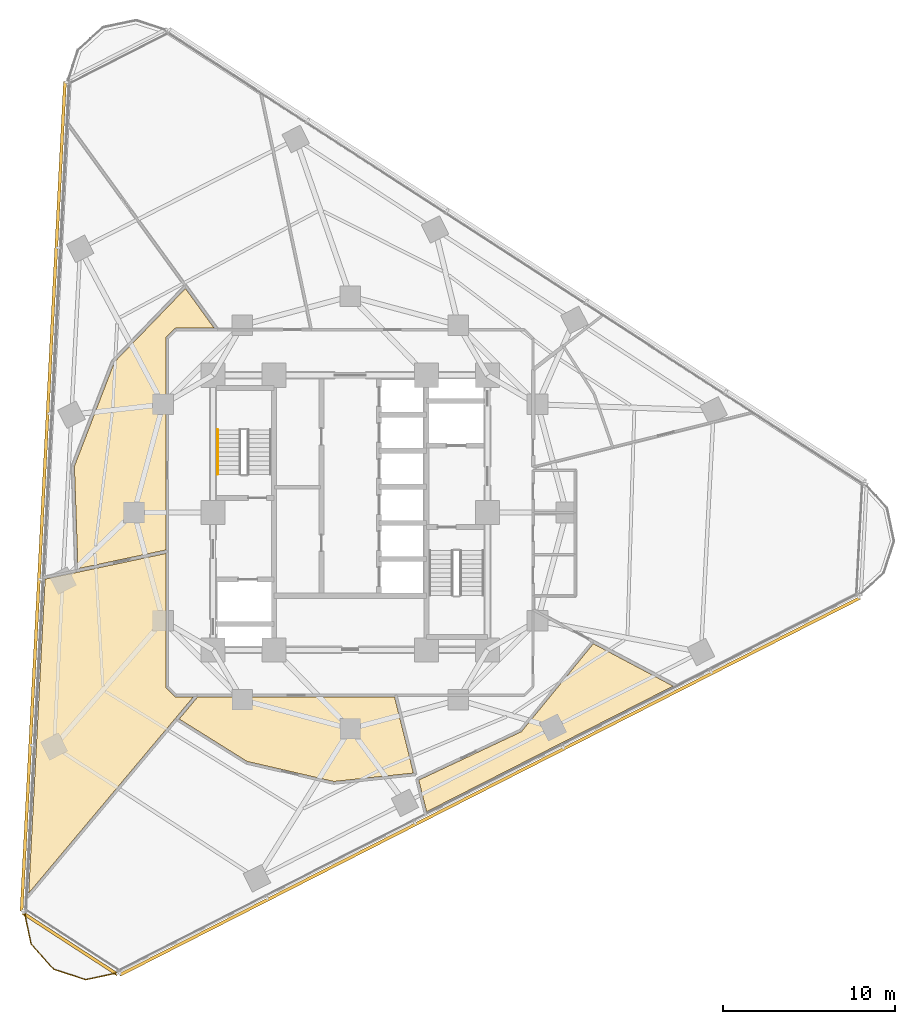
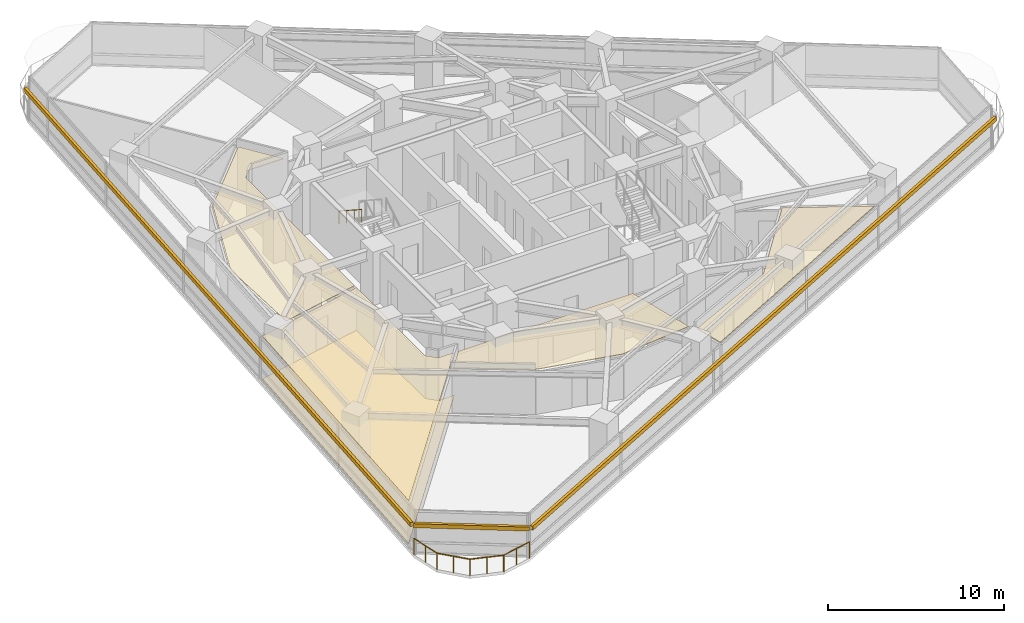
# One storey, part 12 of 14: 5 coverings, 3 shading devices, 2 railings.
"""IFC4 building model written with IfcOpenShell, lengths in metres."""

from ifc_helpers import new_model, si_unit, direction, frame, origin, origin_2d, place, context, subcontext, project, spatial, polyline, rectangle, circle, outline, extrude, material, layer, layer_set, type_object, element, save


model = new_model("IFC4")

# Units and contexts
model_context = context("Model", 3, precision=1e-05, world=origin(), true_north=direction((0.0, 1.0)))
body_context = subcontext(model_context, "Body", "Model", "MODEL_VIEW")
ifc_project = project(units=[si_unit("LENGTHUNIT", "METRE"), si_unit("AREAUNIT", "SQUARE_METRE"), si_unit("VOLUMEUNIT", "CUBIC_METRE"), si_unit("PLANEANGLEUNIT", "RADIAN"), si_unit("MASSUNIT", "GRAM", prefix="KILO")], contexts=[model_context])

# Site, building, storey
site_placement = place(None, origin())
site = spatial("IfcSite", under=ifc_project, at=site_placement, CompositionType="ELEMENT")
building_placement = place(site_placement, origin())
building = spatial("IfcBuilding", under=site, at=building_placement, Name="Terralouvre Media Tower", CompositionType="ELEMENT")
storey_placement = place(building_placement, frame((0.0, 0.0, 123.60009765625)))
storey = spatial("IfcBuildingStorey", under=building, at=storey_placement, Name="L31", CompositionType="ELEMENT", Elevation=123.60009765625)

# Coverings
ifc_material_1 = material(Name="Resilient elastomer acoustic broadcast studio flooring")
ifc_layer_1 = layer(ifc_material_1, 0.050048828125, Name="Broadcast Studio Acoustic Floating Floor FL-AC1")
ifc_layer_set_1 = layer_set([ifc_layer_1], Name="Resilient elastomer acoustic broadcast studio flooring")
covering_type_1 = type_object("IfcCoveringType", Name="Broadcast Studio Acoustic Floating Floor FL-AC1", PredefinedType="FLOORING", material=ifc_layer_set_1)
covering_1_placement = place(storey_placement, frame((0.0, 0.0, 0.0), z_axis=(0.0, 0.0, 1.0), x_axis=(0.891006524188, 0.45399049974, 0.0)))
element("IfcCovering", 1, at=covering_1_placement, inside=storey, type_object=covering_type_1, Name="L31 OB Coordination Crew Room 1 Acoustic Floating Floor", PredefinedType="FLOORING", context=body_context, shape_type="SweptSolid", body=[
    extrude(outline(polyline([(-13.033447265625, -5.424072265625), (-13.924072265625, -4.97021484375), (-13.9326171875, -4.96533203125), (-13.940673828125, -4.959716796875), (-13.947998046875, -4.953369140625), (-13.954833984375, -4.946044921875), (-13.960693359375, -4.9384765625), (-13.966064453125, -4.929931640625), (-13.97021484375, -4.92138671875), (-13.973876953125, -4.912109375), (-14.1923828125, -4.239501953125), (-14.19482421875, -4.230224609375), (-14.196533203125, -4.220458984375), (-14.197265625, -4.210693359375), (-14.197021484375, -4.200927734375), (-14.195556640625, -4.191162109375), (-14.193603515625, -4.181640625), (-14.1904296875, -4.17236328125), (-14.186279296875, -4.163330078125), (-10.662109375, 2.753173828125), (-15.78857421875, 4.126708984375), (-17.603271484375, 4.61376953125), (-26.763671875, -11.251708984375), (-14.5244140625, -6.056884765625), (-13.033447265625, -5.424072265625)])), origin(), (0.0, 0.0, 1.0), 0.0498046875),
])
ifc_material_2 = material(Name="Perforated aluminium acoustic ceiling baffle", Category="aluminium")
ifc_layer_2 = layer(ifc_material_2, 0.0400390625, Name="Perforated Acoustic Metal Tile Ceiling CL-AC1")
ifc_layer_set_2 = layer_set([ifc_layer_2], Name="Perforated aluminium acoustic ceiling baffle")
covering_type_2 = type_object("IfcCoveringType", Name="Perforated Acoustic Metal Tile Ceiling CL-AC1", PredefinedType="CEILING", material=ifc_layer_set_2)
covering_2_placement = place(storey_placement, frame((0.0, 0.0, 2.97998046875), z_axis=(0.0, 0.0, 1.0), x_axis=(0.891006524188, 0.45399049974, 0.0)))
element("IfcCovering", 2, at=covering_2_placement, inside=storey, type_object=covering_type_2, Name="L31 OB Coordination Crew Room 1 Acoustic Ceiling", PredefinedType="CEILING", context=body_context, shape_type="SweptSolid", body=[
    extrude(outline(polyline([(-13.033447265625, -5.424072265625), (-13.924072265625, -4.97021484375), (-13.9326171875, -4.96533203125), (-13.940673828125, -4.959716796875), (-13.947998046875, -4.953369140625), (-13.954833984375, -4.946044921875), (-13.960693359375, -4.9384765625), (-13.966064453125, -4.929931640625), (-13.97021484375, -4.92138671875), (-13.973876953125, -4.912109375), (-14.1923828125, -4.239501953125), (-14.19482421875, -4.230224609375), (-14.196533203125, -4.220458984375), (-14.197265625, -4.210693359375), (-14.197021484375, -4.200927734375), (-14.195556640625, -4.191162109375), (-14.193603515625, -4.181640625), (-14.1904296875, -4.17236328125), (-14.186279296875, -4.163330078125), (-10.662109375, 2.753173828125), (-15.78857421875, 4.126708984375), (-17.603271484375, 4.61376953125), (-26.763671875, -11.251708984375), (-14.5244140625, -6.056884765625), (-13.033447265625, -5.424072265625)])), origin(), (0.0, 0.0, 1.0), 0.0400390625),
])
covering_3_placement = place(storey_placement, frame((0.0, 0.0, 2.97998046875), z_axis=(0.0, 0.0, 1.0), x_axis=(0.891006524188, 0.45399049974, 0.0)))
element("IfcCovering", 3, at=covering_3_placement, inside=storey, type_object=covering_type_2, Name="L31 Sports Commentary Control Room 3 Acoustic Ceiling", PredefinedType="CEILING", context=body_context, shape_type="SweptSolid", body=[
    extrude(outline(polyline([(-11.936767578125, -10.1953125), (-7.96826171875, -13.526611328125), (-3.611572265625, -15.198486328125), (-2.58447265625, -10.748291015625), (-12.801025390625, -5.542724609375), (-14.34033203125, -6.196044921875), (-11.936767578125, -10.1953125)])), origin(), (0.0, 0.0, 1.0), 0.0400390625),
])
covering_4_placement = place(storey_placement, frame((0.0, 0.0, 2.97998046875), z_axis=(0.0, 0.0, 1.0), x_axis=(0.891006524188, 0.45399049974, 0.0)))
element("IfcCovering", 4, at=covering_4_placement, inside=storey, type_object=covering_type_2, Name="L31 Tournament Highlights Cinema 5 Acoustic Ceiling", PredefinedType="CEILING", context=body_context, shape_type="SweptSolid", body=[
    extrude(outline(polyline([(3.112060546875, -15.895751953125), (3.103759765625, -15.89892578125), (3.09521484375, -15.9013671875), (3.086669921875, -15.903076171875), (3.07763671875, -15.904052734375), (3.06884765625, -15.904052734375), (-3.52294921875, -15.70263671875), (-3.94921875, -17.552001953125), (12.16796875, -17.55224609375), (9.148681640625, -13.240234375), (3.112060546875, -15.895751953125)])), origin(), (0.0, 0.0, 1.0), 0.0400390625),
])
covering_5_placement = place(storey_placement, frame((0.0, 0.0, 2.97998046875), z_axis=(0.0, 0.0, 1.0), x_axis=(0.891006524188, 0.45399049974, 0.0)))
element("IfcCovering", 5, at=covering_5_placement, inside=storey, type_object=covering_type_2, Name="L31 Sports Desk Workspace 12 Acoustic Ceiling", PredefinedType="CEILING", context=body_context, shape_type="SweptSolid", body=[
    extrude(outline(polyline([(-8.27197265625, 14.043212890625), (-13.10107421875, 9.694580078125), (-15.62158203125, 4.2890625), (-10.5693359375, 2.935302734375), (-4.97021484375, 13.924072265625), (-4.96533203125, 13.9326171875), (-4.959716796875, 13.940673828125), (-4.953369140625, 13.947998046875), (-4.946044921875, 13.954833984375), (-4.9384765625, 13.960693359375), (-4.929931640625, 13.966064453125), (-4.92138671875, 13.97021484375), (-4.912109375, 13.973876953125), (-4.239501953125, 14.1923828125), (-4.230224609375, 14.19482421875), (-4.220458984375, 14.196533203125), (-4.210693359375, 14.197265625), (-4.200927734375, 14.197021484375), (-4.191162109375, 14.195556640625), (-4.181640625, 14.193603515625), (-4.17236328125, 14.1904296875), (-4.163330078125, 14.186279296875), (-2.189208984375, 13.180419921875), (-2.633056640625, 15.984375), (-8.27197265625, 14.043212890625)])), origin(), (0.0, 0.0, 1.0), 0.0400390625),
])

# Railings
ifc_material_3 = material(Name="Stainless steel 316 handrail and balustrade", Category="steel")
ifc_layer_3 = layer(ifc_material_3, 0.06005859375, Name="Roof Edge Safety Guardrail GR-ROOF1")
ifc_layer_set_3 = layer_set([ifc_layer_3], Name="Stainless steel 316 handrail and balustrade")
railing_type_1 = type_object("IfcRailingType", Name="Roof Edge Safety Guardrail GR-ROOF1", PredefinedType="GUARDRAIL", material=ifc_layer_set_3)
railing_1_placement = place(storey_placement, frame((-19.004638671875, -23.22509765625, 0.0)))
element("IfcRailing", 6, at=railing_1_placement, inside=storey, type_object=railing_type_1, Name="L31 Wind-Corner Perimeter Safety Guardrail C0", PredefinedType="GUARDRAIL", context=body_context, shape_type="SweptSolid", body=[
    extrude(circle(Radius=0.02099609375, at=origin_2d()), frame((0.0, 0.0, 1.12890625), z_axis=(0.20770581411, -0.978191338535, 0.0), x_axis=(0.978191338535, 0.20770581411, 0.0)), (0.0, 0.0, 1.0), 1.966552734375),
    extrude(circle(Radius=0.02099609375, at=origin_2d()), frame((0.408447265625, -1.923583984375, 1.12890625), z_axis=(0.669067634628, -0.743201520648, 0.0), x_axis=(0.743201520648, 0.669067634628, 0.0)), (0.0, 0.0, 1.0), 1.966064453125),
    extrude(circle(Radius=0.02099609375, at=origin_2d()), frame((1.723876953125, -3.384765625, 1.12890625), z_axis=(0.951088800654, -0.308917615669, 0.0), x_axis=(0.308917615669, 0.951088800654, 0.0)), (0.0, 0.0, 1.0), 1.96630859375),
    extrude(circle(Radius=0.02099609375, at=origin_2d()), frame((3.593994140625, -3.9921875, 1.12890625), z_axis=(0.978110230454, 0.208087426535, 0.0), x_axis=(-0.208087426535, 0.978110230454, 0.0)), (0.0, 0.0, 1.0), 1.96630859375),
    extrude(circle(Radius=0.01904296875, at=origin_2d()), origin(), (0.0, 0.0, 1.0), 1.10791015625),
    extrude(circle(Radius=0.01904296875, at=origin_2d()), frame((0.2041015625, -0.9619140625, 0.0)), (0.0, 0.0, 1.0), 1.10791015625),
    extrude(circle(Radius=0.01904296875, at=origin_2d()), frame((0.408447265625, -1.923583984375, 0.0)), (0.0, 0.0, 1.0), 1.10791015625),
    extrude(circle(Radius=0.01904296875, at=origin_2d()), frame((1.066162109375, -2.654296875, 0.0)), (0.0, 0.0, 1.0), 1.10791015625),
    extrude(circle(Radius=0.01904296875, at=origin_2d()), frame((1.723876953125, -3.384765625, 0.0)), (0.0, 0.0, 1.0), 1.10791015625),
    extrude(circle(Radius=0.01904296875, at=origin_2d()), frame((2.658935546875, -3.6884765625, 0.0)), (0.0, 0.0, 1.0), 1.10791015625),
    extrude(circle(Radius=0.01904296875, at=origin_2d()), frame((3.593994140625, -3.9921875, 0.0)), (0.0, 0.0, 1.0), 1.10791015625),
    extrude(circle(Radius=0.01904296875, at=origin_2d()), frame((4.5556640625, -3.78759765625, 0.0)), (0.0, 0.0, 1.0), 1.10791015625),
    extrude(circle(Radius=0.01904296875, at=origin_2d()), frame((5.517333984375, -3.5830078125, 0.0)), (0.0, 0.0, 1.0), 1.10791015625),
])
ifc_material_4 = material(Name="Stainless steel 316 handrail and balustrade", Category="steel")
ifc_layer_4 = layer(ifc_material_4, 0.050048828125, Name="Stair Flight Wall Handrail HR-INT1")
ifc_layer_set_4 = layer_set([ifc_layer_4], Name="Stainless steel 316 handrail and balustrade")
railing_type_2 = type_object("IfcRailingType", Name="Stair Flight Wall Handrail HR-INT1", PredefinedType="HANDRAIL", material=ifc_layer_set_4)
railing_2_placement = place(storey_placement, frame((-7.72998046875, 4.820068359375, 2.01806640625)))
element("IfcRailing", 7, at=railing_2_placement, inside=storey, type_object=railing_type_2, Name="L31 ST-01 stair handrail 2", PredefinedType="HANDRAIL", context=body_context, shape_type="SweptSolid", body=[
    extrude(circle(Radius=0.02392578125, at=origin_2d()), frame((0.0, 0.0, 0.8759765625), z_axis=(0.0, -0.839648411786, 0.543130320075), x_axis=(1.0, 0.0, 0.0)), (0.0, 0.0, 1.0), 3.0966796875),
    extrude(circle(Radius=0.02099609375, at=origin_2d()), origin(), (0.0, 0.0, 1.0), 0.851806640625),
    extrude(circle(Radius=0.02099609375, at=origin_2d()), frame((0.0, -0.86669921875, 0.560546875)), (0.0, 0.0, 1.0), 0.851806640625),
    extrude(circle(Radius=0.02099609375, at=origin_2d()), frame((0.0, -1.7333984375, 1.121337890625)), (0.0, 0.0, 1.0), 0.851806640625),
    extrude(circle(Radius=0.02099609375, at=origin_2d()), frame((0.0, -2.60009765625, 1.681884765625)), (0.0, 0.0, 1.0), 0.851806640625),
])

# Shading devices
ifc_material_5 = material(Name="Extruded terracotta baguette sunshade louvres", Category="masonry")
shading_device_type = type_object("IfcShadingDeviceType", Name="Terracotta Baguette Sunshade Louvre Screen TB-LV1", PredefinedType="USERDEFINED", material=ifc_material_5)
for number, where, z_axis, x_axis, name in (
    (8, (8.1318359375, -15.959716796875, 2.02392578125), (0.0, 0.0, 1.0), (0.891006501178, 0.4539905449, 0.0), "CW-L31-F0 Terracotta Baguette Sunshade Louvre"),
    (9, (-17.887451171875, 0.9375, 2.02392578125), (0.0, 0.0, 1.0), (-0.052335949864, -0.998629535089, 0.0), "CW-L31-F2 Terracotta Baguette Sunshade Louvre"),
):
    element("IfcShadingDevice", number, at=place(storey_placement, frame(where, z_axis=z_axis, x_axis=x_axis)), inside=storey, type_object=shading_device_type, Name=name, ObjectType="BAGUETTE", PredefinedType="USERDEFINED", context=body_context, shape_type="SweptSolid", body=[
        extrude(rectangle(XDim=48.39990234375, YDim=0.179931640625, at=origin_2d()), origin(), (0.0, 0.0, 1.0), 0.280029296875),
    ])
shading_device_placement = place(storey_placement, frame((-16.3193359375, -25.129638671875, 2.02392578125), z_axis=(0.0, 0.0, 1.0), x_axis=(0.838670390568, -0.544639308152, 0.0)))
element("IfcShadingDevice", 10, at=shading_device_placement, inside=storey, type_object=shading_device_type, Name="CW-L31-C0 Terracotta Baguette Sunshade Louvre", ObjectType="BAGUETTE", PredefinedType="USERDEFINED", context=body_context, shape_type="SweptSolid", body=[
    extrude(rectangle(XDim=6.581787109375, YDim=0.179931640625, at=origin_2d()), origin(), (0.0, 0.0, 1.0), 0.280029296875),
])

save(model, "model.ifc")
